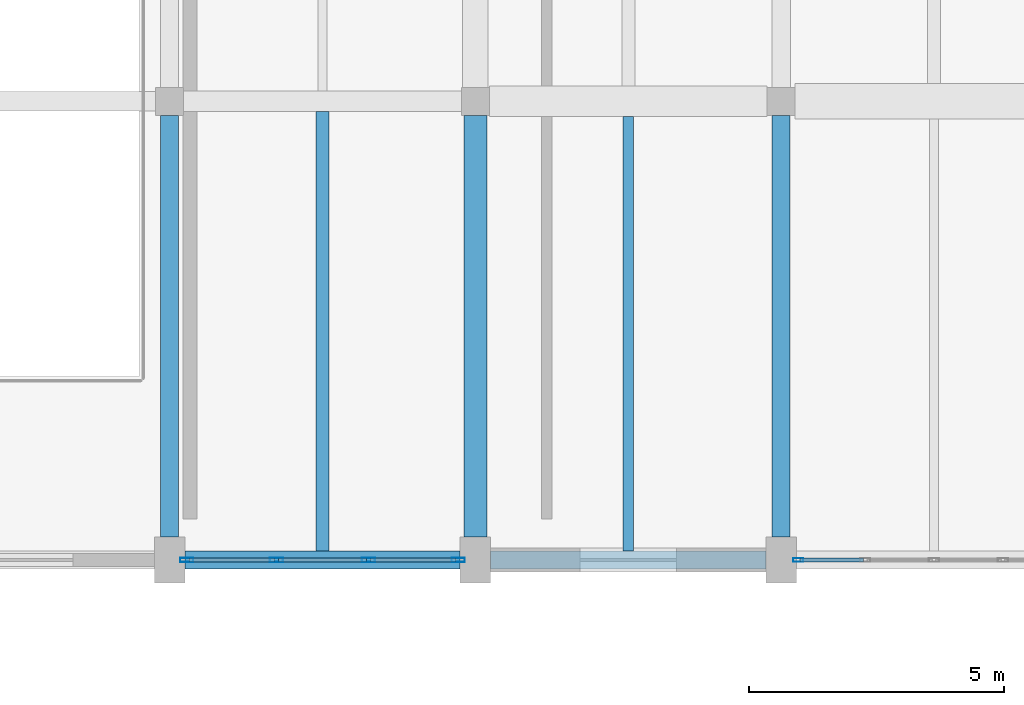
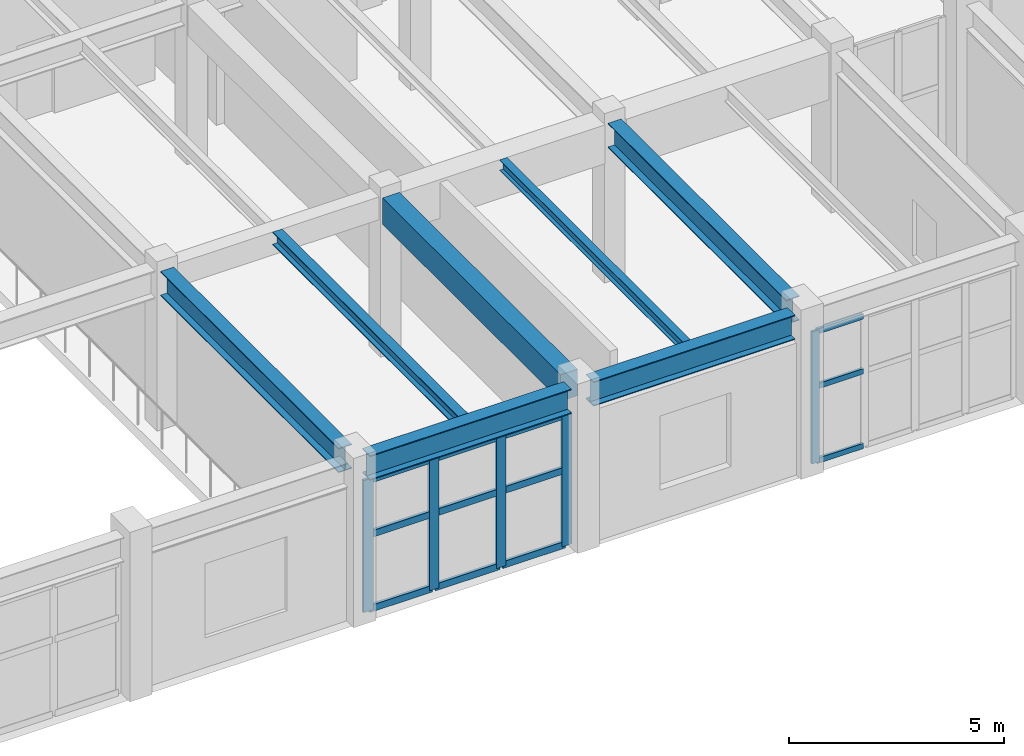
# One storey, part 12 of 96: 17 members, 7 beams, 2 elements without a shape of their own.
"""IFC4 building model written with IfcOpenShell, lengths in metres."""

from ifc_helpers import new_model, si_unit, direction, frame, origin, origin_2d, place, context, subcontext, project, spatial, rectangle, hollow_rectangle, i_section, extrude, material, layer, layer_set, material_profile, profile_set, type_object, element, aggregate, save


model = new_model("IFC4")

# Units and contexts
model_context = context("Model", 3, precision=1e-05, world=origin(), true_north=direction((0.0, 1.0)))
body_context = subcontext(model_context, "Body", "Model", "MODEL_VIEW")
ifc_project = project(units=[si_unit("LENGTHUNIT", "METRE"), si_unit("AREAUNIT", "SQUARE_METRE"), si_unit("VOLUMEUNIT", "CUBIC_METRE"), si_unit("PLANEANGLEUNIT", "RADIAN"), si_unit("MASSUNIT", "GRAM", prefix="KILO")], contexts=[model_context])

# Site, building, storey
site_placement = place(None, origin())
site = spatial("IfcSite", under=ifc_project, at=site_placement, CompositionType="ELEMENT")
building_placement = place(site_placement, origin())
building = spatial("IfcBuilding", under=site, at=building_placement, Name="Vaelkrest Opera House", CompositionType="ELEMENT")
storey_placement = place(building_placement, frame((0.0, 0.0, 5.39990234375)))
storey = spatial("IfcBuildingStorey", under=building, at=storey_placement, Name="L01", CompositionType="ELEMENT", Elevation=5.39990234375)

# Beams
ifc_material_1 = material(Name="Concrete C50/60", Category="concrete")
ifc_material_profile_1 = material_profile(ifc_material_1, rectangle(XDim=0.449951171875, YDim=0.75, at=origin_2d()), Name="RCB450X750")
ifc_profile_set_1 = profile_set([ifc_material_profile_1], Name="Concrete C50/60")
beam_type_1 = type_object("IfcBeamType", Name="B02", PredefinedType="BEAM", material=ifc_profile_set_1)
beam_1_placement = place(storey_placement, frame((-45.60009765625, -16.35009765625, 4.125), z_axis=(0.0, 1.0, 0.0), x_axis=(-1.0, 0.0, 0.0)))
element("IfcBeam", 1, at=beam_1_placement, inside=storey, type_object=beam_type_1, Name="Beam BM-V3-L01-1575", PredefinedType="BEAM", context=body_context, shape_type="SweptSolid", body=[
    extrude(rectangle(XDim=0.449951171875, YDim=0.75, at=origin_2d()), origin(), (0.0, 0.0, 1.0), 8.275146484375),
])
ifc_material_2 = material(Name="Steel A992 Gr50", Category="steel")
ifc_material_profile_2 = material_profile(ifc_material_2, i_section(OverallWidth=0.35498046875, OverallDepth=0.695068359375, WebThickness=0.015380859375, FlangeThickness=0.02490234375, at=origin_2d()), Name="W27X146")
ifc_profile_set_2 = profile_set([ifc_material_profile_2], Name="Steel A992 Gr50")
beam_type_2 = type_object("IfcBeamType", Name="B10", PredefinedType="BEAM", material=ifc_profile_set_2)
for number, where, z_axis, x_axis, name in (
    (2, (-51.60009765625, -16.35009765625, 4.152587890625), (0.0, 1.0, 0.0), (-1.0, 0.0, 0.0), "Beam BM-V3-L01-1569"),
    (3, (-39.60009765625, -16.35009765625, 4.152587890625), (0.0, 1.0, 0.0), (-1.0, 0.0, 0.0), "Beam BM-V3-L01-1581"),
):
    element("IfcBeam", number, at=place(storey_placement, frame(where, z_axis=z_axis, x_axis=x_axis)), inside=storey, type_object=beam_type_2, Name=name, PredefinedType="BEAM", context=body_context, shape_type="SweptSolid", body=[
        extrude(i_section(OverallWidth=0.35498046875, OverallDepth=0.695068359375, WebThickness=0.015380859375, FlangeThickness=0.02490234375, at=origin_2d()), origin(), (0.0, 0.0, 1.0), 8.275146484375),
    ])

# Curtain wall, member
ifc_material_3 = material(Name="Dark bronze anodized aluminium", Category="aluminium")
ifc_layer_1 = layer(ifc_material_3, 0.18994140625)
ifc_layer_set_1 = layer_set([ifc_layer_1], Name="Dark bronze anodized aluminium")
curtain_wall_type_1 = type_object("IfcCurtainWallType", Name="CW02", PredefinedType="NOTDEFINED", material=ifc_layer_set_1)
curtain_wall_1_placement = place(storey_placement, origin())
curtain_wall_1 = element("IfcCurtainWall", 4, at=curtain_wall_1_placement, inside=storey, type_object=curtain_wall_type_1, Name="Curtain wall CW-L01-099", PredefinedType="NOTDEFINED")
ifc_material_profile_3 = material_profile(ifc_material_3, hollow_rectangle(XDim=0.070068359375, YDim=0.199951171875, WallThickness=0.004150390625, at=origin_2d()), Name="CWM70X200")
ifc_profile_set_3 = profile_set([ifc_material_profile_3], Name="Dark bronze anodized aluminium")
member_type_1 = type_object("IfcMemberType", Name="CWM02", PredefinedType="MULLION", material=ifc_profile_set_3)
member_1_placement = place(storey_placement, frame((-39.26708984375, -16.800048828125, 0.0), z_axis=(0.0, 0.0, 1.0), x_axis=(0.0, -1.0, 0.0)))
member_1 = element("IfcMember", 5, at=member_1_placement, type_object=member_type_1, Name="CW02 mullion 5", PredefinedType="MULLION", context=body_context, shape_type="SweptSolid", body=[
    extrude(hollow_rectangle(XDim=0.070068359375, YDim=0.199951171875, WallThickness=0.004150390625, at=origin_2d()), origin(), (0.0, 0.0, 1.0), 3.739990234375),
])

# Curtain wall, members
ifc_layer_2 = layer(ifc_material_3, 0.2099609375)
ifc_layer_set_2 = layer_set([ifc_layer_2], Name="Dark bronze anodized aluminium")
curtain_wall_type_2 = type_object("IfcCurtainWallType", Name="CW04", PredefinedType="NOTDEFINED", material=ifc_layer_set_2)
curtain_wall_2_placement = place(storey_placement, origin())
curtain_wall_2 = element("IfcCurtainWall", 6, at=curtain_wall_2_placement, inside=storey, type_object=curtain_wall_type_2, Name="Curtain wall CW-L01-100", PredefinedType="NOTDEFINED")
ifc_material_profile_4 = material_profile(ifc_material_3, hollow_rectangle(XDim=0.080078125, YDim=0.260009765625, WallThickness=0.0048828125, at=origin_2d()), Name="CWM80X260")
ifc_profile_set_4 = profile_set([ifc_material_profile_4], Name="Dark bronze anodized aluminium")
member_type_2 = type_object("IfcMemberType", Name="CWM04", PredefinedType="MULLION", material=ifc_profile_set_4)
member_2_placement = place(storey_placement, frame((-45.93798828125, -16.800048828125, 0.0), z_axis=(0.0, 0.0, 1.0), x_axis=(0.0, -1.0, 0.0)))
member_2 = element("IfcMember", 7, at=member_2_placement, type_object=member_type_2, Name="CW04 mullion 1", PredefinedType="MULLION", context=body_context, shape_type="SweptSolid", body=[
    extrude(hollow_rectangle(XDim=0.080078125, YDim=0.260009765625, WallThickness=0.0048828125, at=origin_2d()), origin(), (0.0, 0.0, 1.0), 3.739990234375),
])
member_3_placement = place(storey_placement, frame((-47.69921875, -16.800048828125, 0.0), z_axis=(0.0, 0.0, 1.0), x_axis=(0.0, -1.0, 0.0)))
member_3 = element("IfcMember", 8, at=member_3_placement, type_object=member_type_2, Name="CW04 mullion 2", PredefinedType="MULLION", context=body_context, shape_type="SweptSolid", body=[
    extrude(hollow_rectangle(XDim=0.080078125, YDim=0.260009765625, WallThickness=0.0048828125, at=origin_2d()), origin(), (0.0, 0.0, 1.0), 3.739990234375),
])
member_4_placement = place(storey_placement, frame((-49.500732421875, -16.800048828125, 0.0), z_axis=(0.0, 0.0, 1.0), x_axis=(0.0, -1.0, 0.0)))
member_4 = element("IfcMember", 9, at=member_4_placement, type_object=member_type_2, Name="CW04 mullion 3", PredefinedType="MULLION", context=body_context, shape_type="SweptSolid", body=[
    extrude(hollow_rectangle(XDim=0.080078125, YDim=0.260009765625, WallThickness=0.0048828125, at=origin_2d()), origin(), (0.0, 0.0, 1.0), 3.739990234375),
])
member_5_placement = place(storey_placement, frame((-51.261962890625, -16.800048828125, 0.0), z_axis=(0.0, 0.0, 1.0), x_axis=(0.0, -1.0, 0.0)))
member_5 = element("IfcMember", 10, at=member_5_placement, type_object=member_type_2, Name="CW04 mullion 4", PredefinedType="MULLION", context=body_context, shape_type="SweptSolid", body=[
    extrude(hollow_rectangle(XDim=0.080078125, YDim=0.260009765625, WallThickness=0.0048828125, at=origin_2d()), origin(), (0.0, 0.0, 1.0), 3.739990234375),
])

# Member
ifc_material_profile_5 = material_profile(ifc_material_3, hollow_rectangle(XDim=0.070068359375, YDim=0.14990234375, WallThickness=0.004150390625, at=origin_2d()), Name="CWT70X150")
ifc_profile_set_5 = profile_set([ifc_material_profile_5], Name="Dark bronze anodized aluminium")
member_type_3 = type_object("IfcMemberType", Name="CWT02", PredefinedType="USERDEFINED", material=ifc_profile_set_5)
member_6_placement = place(storey_placement, frame((-37.986083984375, -16.800048828125, 0.03515625), z_axis=(-1.0, 0.0, 0.0), x_axis=(0.0, -1.0, 0.0)))
member_6 = element("IfcMember", 11, at=member_6_placement, type_object=member_type_3, Name="CW02 transom 4.1", ObjectType="TRANSOM", PredefinedType="USERDEFINED", context=body_context, shape_type="SweptSolid", body=[
    extrude(hollow_rectangle(XDim=0.070068359375, YDim=0.14990234375, WallThickness=0.004150390625, at=origin_2d()), origin(), (0.0, 0.0, 1.0), 1.245849609375),
])

member_7_placement = place(storey_placement, frame((-37.986083984375, -16.800048828125, 2.150146484375), z_axis=(-1.0, 0.0, 0.0), x_axis=(0.0, -1.0, 0.0)))
member_7 = element("IfcMember", 12, at=member_7_placement, type_object=member_type_3, Name="CW02 transom 4.2", ObjectType="TRANSOM", PredefinedType="USERDEFINED", context=body_context, shape_type="SweptSolid", body=[
    extrude(hollow_rectangle(XDim=0.070068359375, YDim=0.14990234375, WallThickness=0.004150390625, at=origin_2d()), origin(), (0.0, 0.0, 1.0), 1.245849609375),
])

member_8_placement = place(storey_placement, frame((-37.986083984375, -16.800048828125, 3.705078125), z_axis=(-1.0, 0.0, 0.0), x_axis=(0.0, -1.0, 0.0)))
member_8 = element("IfcMember", 13, at=member_8_placement, type_object=member_type_3, Name="CW02 transom 4.3", ObjectType="TRANSOM", PredefinedType="USERDEFINED", context=body_context, shape_type="SweptSolid", body=[
    extrude(hollow_rectangle(XDim=0.070068359375, YDim=0.14990234375, WallThickness=0.004150390625, at=origin_2d()), origin(), (0.0, 0.0, 1.0), 1.245849609375),
])

aggregate(curtain_wall_1, [member_1, member_6, member_7, member_8])

ifc_material_profile_6 = material_profile(ifc_material_3, hollow_rectangle(XDim=0.080078125, YDim=0.18994140625, WallThickness=0.0048828125, at=origin_2d()), Name="CWT80X190")
ifc_profile_set_6 = profile_set([ifc_material_profile_6], Name="Dark bronze anodized aluminium")
member_type_4 = type_object("IfcMemberType", Name="CWT04", PredefinedType="USERDEFINED", material=ifc_profile_set_6)
member_9_placement = place(storey_placement, frame((-45.97802734375, -16.800048828125, 0.0400390625), z_axis=(-1.0, 0.0, 0.0), x_axis=(0.0, -1.0, 0.0)))
member_9 = element("IfcMember", 14, at=member_9_placement, type_object=member_type_4, Name="CW04 transom 1.1", ObjectType="TRANSOM", PredefinedType="USERDEFINED", context=body_context, shape_type="SweptSolid", body=[
    extrude(hollow_rectangle(XDim=0.080078125, YDim=0.18994140625, WallThickness=0.0048828125, at=origin_2d()), origin(), (0.0, 0.0, 1.0), 1.681396484375),
])

member_10_placement = place(storey_placement, frame((-45.97802734375, -16.800048828125, 2.150146484375), z_axis=(-1.0, 0.0, 0.0), x_axis=(0.0, -1.0, 0.0)))
member_10 = element("IfcMember", 15, at=member_10_placement, type_object=member_type_4, Name="CW04 transom 1.2", ObjectType="TRANSOM", PredefinedType="USERDEFINED", context=body_context, shape_type="SweptSolid", body=[
    extrude(hollow_rectangle(XDim=0.080078125, YDim=0.18994140625, WallThickness=0.0048828125, at=origin_2d()), origin(), (0.0, 0.0, 1.0), 1.681396484375),
])

member_11_placement = place(storey_placement, frame((-45.97802734375, -16.800048828125, 3.7001953125), z_axis=(-1.0, 0.0, 0.0), x_axis=(0.0, -1.0, 0.0)))
member_11 = element("IfcMember", 16, at=member_11_placement, type_object=member_type_4, Name="CW04 transom 1.3", ObjectType="TRANSOM", PredefinedType="USERDEFINED", context=body_context, shape_type="SweptSolid", body=[
    extrude(hollow_rectangle(XDim=0.080078125, YDim=0.18994140625, WallThickness=0.0048828125, at=origin_2d()), origin(), (0.0, 0.0, 1.0), 1.681396484375),
])

member_12_placement = place(storey_placement, frame((-47.7392578125, -16.800048828125, 0.0400390625), z_axis=(-1.0, 0.0, 0.0), x_axis=(0.0, -1.0, 0.0)))
member_12 = element("IfcMember", 17, at=member_12_placement, type_object=member_type_4, Name="CW04 transom 2.1", ObjectType="TRANSOM", PredefinedType="USERDEFINED", context=body_context, shape_type="SweptSolid", body=[
    extrude(hollow_rectangle(XDim=0.080078125, YDim=0.18994140625, WallThickness=0.0048828125, at=origin_2d()), origin(), (0.0, 0.0, 1.0), 1.721435546875),
])

member_13_placement = place(storey_placement, frame((-47.7392578125, -16.800048828125, 2.150146484375), z_axis=(-1.0, 0.0, 0.0), x_axis=(0.0, -1.0, 0.0)))
member_13 = element("IfcMember", 18, at=member_13_placement, type_object=member_type_4, Name="CW04 transom 2.2", ObjectType="TRANSOM", PredefinedType="USERDEFINED", context=body_context, shape_type="SweptSolid", body=[
    extrude(hollow_rectangle(XDim=0.080078125, YDim=0.18994140625, WallThickness=0.0048828125, at=origin_2d()), origin(), (0.0, 0.0, 1.0), 1.721435546875),
])

member_14_placement = place(storey_placement, frame((-47.7392578125, -16.800048828125, 3.7001953125), z_axis=(-1.0, 0.0, 0.0), x_axis=(0.0, -1.0, 0.0)))
member_14 = element("IfcMember", 19, at=member_14_placement, type_object=member_type_4, Name="CW04 transom 2.3", ObjectType="TRANSOM", PredefinedType="USERDEFINED", context=body_context, shape_type="SweptSolid", body=[
    extrude(hollow_rectangle(XDim=0.080078125, YDim=0.18994140625, WallThickness=0.0048828125, at=origin_2d()), origin(), (0.0, 0.0, 1.0), 1.721435546875),
])

member_15_placement = place(storey_placement, frame((-49.540771484375, -16.800048828125, 0.0400390625), z_axis=(-1.0, 0.0, 0.0), x_axis=(0.0, -1.0, 0.0)))
member_15 = element("IfcMember", 20, at=member_15_placement, type_object=member_type_4, Name="CW04 transom 3.1", ObjectType="TRANSOM", PredefinedType="USERDEFINED", context=body_context, shape_type="SweptSolid", body=[
    extrude(hollow_rectangle(XDim=0.080078125, YDim=0.18994140625, WallThickness=0.0048828125, at=origin_2d()), origin(), (0.0, 0.0, 1.0), 1.68115234375),
])

member_16_placement = place(storey_placement, frame((-49.540771484375, -16.800048828125, 2.150146484375), z_axis=(-1.0, 0.0, 0.0), x_axis=(0.0, -1.0, 0.0)))
member_16 = element("IfcMember", 21, at=member_16_placement, type_object=member_type_4, Name="CW04 transom 3.2", ObjectType="TRANSOM", PredefinedType="USERDEFINED", context=body_context, shape_type="SweptSolid", body=[
    extrude(hollow_rectangle(XDim=0.080078125, YDim=0.18994140625, WallThickness=0.0048828125, at=origin_2d()), origin(), (0.0, 0.0, 1.0), 1.68115234375),
])

member_17_placement = place(storey_placement, frame((-49.540771484375, -16.800048828125, 3.7001953125), z_axis=(-1.0, 0.0, 0.0), x_axis=(0.0, -1.0, 0.0)))
member_17 = element("IfcMember", 22, at=member_17_placement, type_object=member_type_4, Name="CW04 transom 3.3", ObjectType="TRANSOM", PredefinedType="USERDEFINED", context=body_context, shape_type="SweptSolid", body=[
    extrude(hollow_rectangle(XDim=0.080078125, YDim=0.18994140625, WallThickness=0.0048828125, at=origin_2d()), origin(), (0.0, 0.0, 1.0), 1.68115234375),
])

aggregate(curtain_wall_2, [member_2, member_3, member_4, member_5, member_9, member_10, member_11, member_12, member_13, member_14, member_15, member_16, member_17])

# Beams
ifc_material_profile_7 = material_profile(ifc_material_2, i_section(OverallWidth=0.202880859375, OverallDepth=0.302978515625, WebThickness=0.007568359375, FlangeThickness=0.01318359375, at=origin_2d()), Name="W12X40")
ifc_profile_set_7 = profile_set([ifc_material_profile_7], Name="Steel A992 Gr50")
beam_type_3 = type_object("IfcBeamType", Name="J02", PredefinedType="JOIST", material=ifc_profile_set_7)
beam_2_placement = place(storey_placement, frame((-42.60009765625, -16.62255859375, 4.3486328125), z_axis=(0.0, 1.0, 0.0), x_axis=(-1.0, 0.0, 0.0)))
element("IfcBeam", 23, at=beam_2_placement, inside=storey, type_object=beam_type_3, Name="Floor joist JST-V3-L01-1612", PredefinedType="JOIST", context=body_context, shape_type="SweptSolid", body=[
    extrude(i_section(OverallWidth=0.202880859375, OverallDepth=0.302978515625, WebThickness=0.007568359375, FlangeThickness=0.01318359375, at=origin_2d()), origin(), (0.0, 0.0, 1.0), 8.5224609375),
])
ifc_material_profile_8 = material_profile(ifc_material_2, i_section(OverallWidth=0.257080078125, OverallDepth=0.363037109375, WebThickness=0.012939453125, FlangeThickness=0.021728515625, at=origin_2d()), Name="W14X82")
ifc_profile_set_8 = profile_set([ifc_material_profile_8], Name="Steel A992 Gr50")
beam_type_4 = type_object("IfcBeamType", Name="J06", PredefinedType="JOIST", material=ifc_profile_set_8)
beam_3_placement = place(storey_placement, frame((-48.60009765625, -16.62255859375, 4.318603515625), z_axis=(0.0, 1.0, 0.0), x_axis=(-1.0, 0.0, 0.0)))
element("IfcBeam", 24, at=beam_3_placement, inside=storey, type_object=beam_type_4, Name="Floor joist JST-V3-L01-1606", PredefinedType="JOIST", context=body_context, shape_type="SweptSolid", body=[
    extrude(i_section(OverallWidth=0.257080078125, OverallDepth=0.363037109375, WebThickness=0.012939453125, FlangeThickness=0.021728515625, at=origin_2d()), origin(), (0.0, 0.0, 1.0), 8.62255859375),
])
ifc_material_profile_9 = material_profile(ifc_material_2, i_section(OverallWidth=0.35498046875, OverallDepth=0.695068359375, WebThickness=0.015380859375, FlangeThickness=0.02490234375, at=origin_2d()), Name="W27X146")
ifc_profile_set_9 = profile_set([ifc_material_profile_9], Name="Steel A992 Gr50")
beam_type_5 = type_object("IfcBeamType", Name="SP02", PredefinedType="SPANDREL", material=ifc_profile_set_9)
for number, where, z_axis, x_axis, name in (
    (25, (-51.300048828125, -16.800048828125, 4.152587890625), (1.0, 0.0, 0.0), (0.0, 1.0, 0.0), "Beam BM-V3-L01-1512"),
    (26, (-45.300048828125, -16.800048828125, 4.152587890625), (1.0, 0.0, 0.0), (0.0, 1.0, 0.0), "Beam BM-V3-L01-1513"),
):
    element("IfcBeam", number, at=place(storey_placement, frame(where, z_axis=z_axis, x_axis=x_axis)), inside=storey, type_object=beam_type_5, Name=name, PredefinedType="SPANDREL", context=body_context, shape_type="SweptSolid", body=[
        extrude(i_section(OverallWidth=0.35498046875, OverallDepth=0.695068359375, WebThickness=0.015380859375, FlangeThickness=0.02490234375, at=origin_2d()), origin(), (0.0, 0.0, 1.0), 5.400146484375),
    ])

save(model, "model.ifc")
